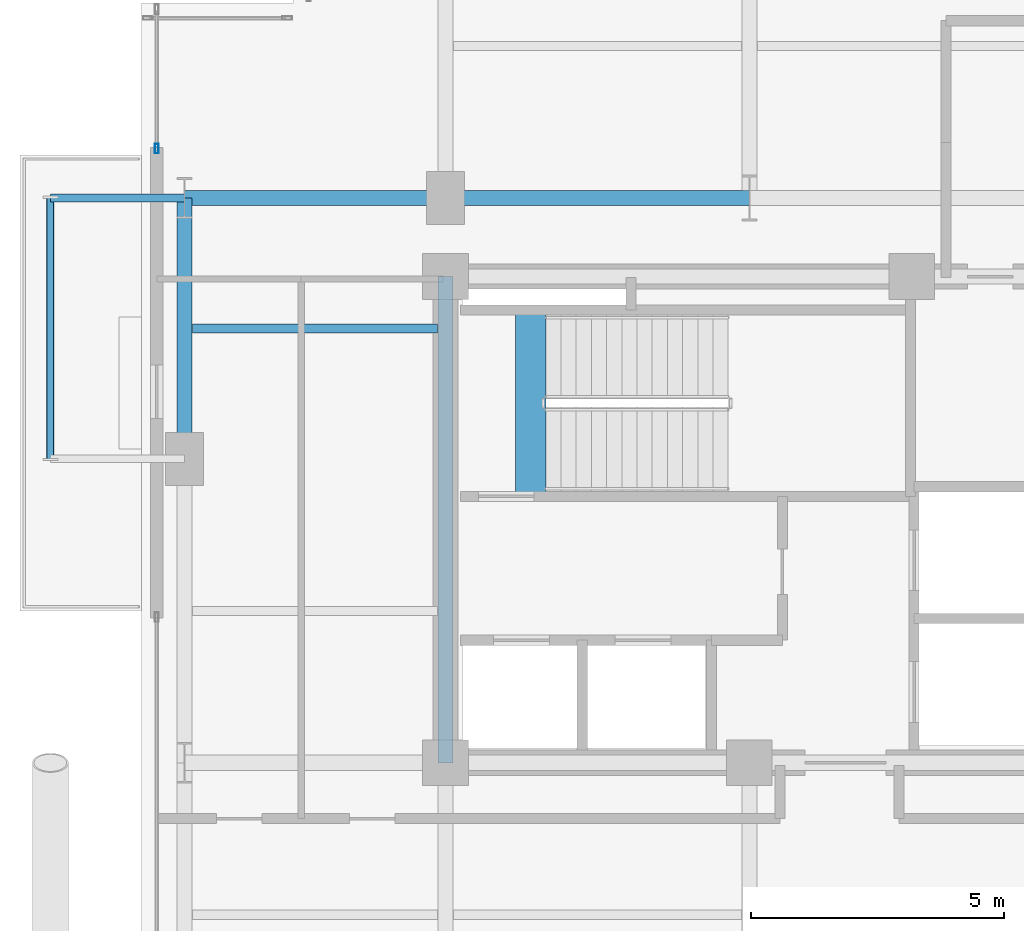
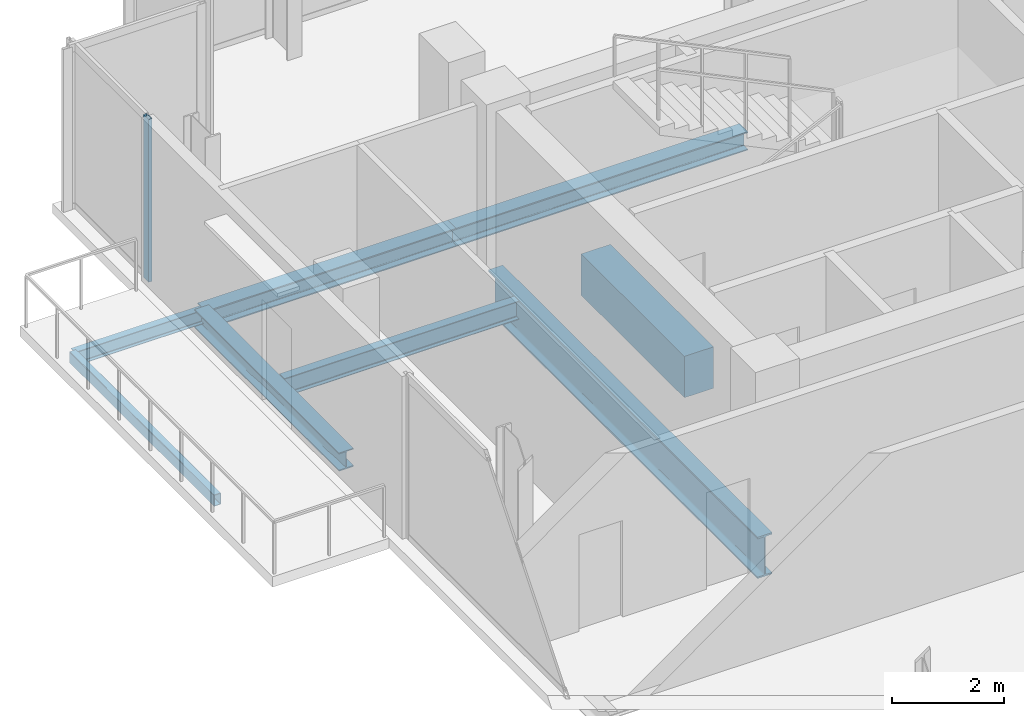
# One storey, part 8 of 25: 8 beams, 1 member, 1 element without a shape of its own.
"""IFC4 building model written with IfcOpenShell, lengths in metres."""

from ifc_helpers import new_model, si_unit, direction, frame, origin, origin_2d, place, context, subcontext, project, spatial, rectangle, hollow_rectangle, i_section, extrude, material, layer, layer_set, material_profile, profile_set, type_object, element, aggregate, save


model = new_model("IFC4")

# Units and contexts
model_context = context("Model", 3, precision=1e-05, world=origin(), true_north=direction((0.0, 1.0)))
body_context = subcontext(model_context, "Body", "Model", "MODEL_VIEW")
ifc_project = project(units=[si_unit("LENGTHUNIT", "METRE"), si_unit("AREAUNIT", "SQUARE_METRE"), si_unit("VOLUMEUNIT", "CUBIC_METRE"), si_unit("PLANEANGLEUNIT", "RADIAN"), si_unit("MASSUNIT", "GRAM", prefix="KILO"), si_unit("THERMODYNAMICTEMPERATUREUNIT", "KELVIN"), si_unit("POWERUNIT", "WATT")], contexts=[model_context])

# Site, building, storey
site_placement = place(None, origin())
site = spatial("IfcSite", under=ifc_project, at=site_placement, CompositionType="ELEMENT")
building_placement = place(site_placement, origin())
building = spatial("IfcBuilding", under=site, at=building_placement, Name="Svarakhadi Broadcast Tower", CompositionType="ELEMENT")
storey_placement = place(building_placement, frame((0.0, 0.0, 216.14990234375)))
storey = spatial("IfcBuildingStorey", under=building, at=storey_placement, Name="L53", CompositionType="ELEMENT", Elevation=216.14990234375)

# Beam
ifc_material_1 = material(Name="Steel S355J2 (IS 2062 E350C)", Category="steel")
ifc_material_profile_1 = material_profile(ifc_material_1, i_section(OverallWidth=0.179931640625, OverallDepth=0.39990234375, WebThickness=0.008544921875, FlangeThickness=0.013427734375, FilletRadius=0.02099609375, at=origin_2d()), Name="NPB 400x180x66")
ifc_profile_set_1 = profile_set([ifc_material_profile_1], Name="Steel S355J2 (IS 2062 E350C)")
beam_type_1 = type_object("IfcBeamType", Name="Beam_NPB400", PredefinedType="BEAM", material=ifc_profile_set_1)
beam_1_placement = place(storey_placement, frame((1.010009765625, 26.574951171875, -0.409912109375), z_axis=(1.0, 0.0, 0.0), x_axis=(0.0, 1.0, 0.0)))
element("IfcBeam", 1, at=beam_1_placement, inside=storey, type_object=beam_type_1, Name="L53 Secondary Composite Beam SB004", PredefinedType="BEAM", context=body_context, shape_type="SweptSolid", body=[
    extrude(i_section(OverallWidth=0.179931640625, OverallDepth=0.39990234375, WebThickness=0.008544921875, FlangeThickness=0.013427734375, FilletRadius=0.02099609375, at=origin_2d()), origin(), (0.0, 0.0, 1.0), 4.830078125),
])

# Curtain wall, member
ifc_material_2 = material(Name="Anodised Bronze Aluminium AA 6063-T6", Category="aluminium")
ifc_layer = layer(ifc_material_2, 0.18994140625)
ifc_layer_set = layer_set([ifc_layer], Name="Anodised Bronze Aluminium AA 6063-T6")
curtain_wall_type = type_object("IfcCurtainWallType", Name="CW_Sys_04", PredefinedType="NOTDEFINED", material=ifc_layer_set)
curtain_wall_placement = place(storey_placement, origin())
curtain_wall = element("IfcCurtainWall", 2, at=curtain_wall_placement, inside=storey, type_object=curtain_wall_type, Name="L53 West Curtain Wall 03", PredefinedType="NOTDEFINED")
ifc_material_profile_2 = material_profile(ifc_material_2, hollow_rectangle(XDim=0.070068359375, YDim=0.18994140625, WallThickness=0.005615234375, at=origin_2d()), Name="ALU MULLION 190x70x6")
ifc_profile_set_2 = profile_set([ifc_material_profile_2], Name="Anodised Bronze Aluminium AA 6063-T6")
member_type = type_object("IfcMemberType", Name="CW_Sys_04_Mul", PredefinedType="MULLION", material=ifc_profile_set_2)
member_placement = place(storey_placement, frame((0.300048828125, 30.125, 0.0), z_axis=(0.0, 0.0, 1.0), x_axis=(-1.0, 0.0, 0.0)))
member = element("IfcMember", 3, at=member_placement, type_object=member_type, Name="CW-04 mullion 1", PredefinedType="MULLION", context=body_context, shape_type="SweptSolid", body=[
    extrude(hollow_rectangle(XDim=0.070068359375, YDim=0.18994140625, WallThickness=0.005615234375, at=origin_2d()), origin(), (0.0, 0.0, 1.0), 3.5400390625),
])
aggregate(curtain_wall, [member])

# Beams
ifc_material_3 = material(Name="Concrete C50/60 (IS 456 M60)", Category="concrete")
ifc_material_profile_3 = material_profile(ifc_material_3, rectangle(XDim=0.60009765625, YDim=0.89990234375, at=origin_2d()), Name="RC 600x900")
ifc_profile_set_3 = profile_set([ifc_material_profile_3], Name="Concrete C50/60 (IS 456 M60)")
beam_type_2 = type_object("IfcBeamType", Name="Coupling_RC600", PredefinedType="USERDEFINED", material=ifc_profile_set_3)
beam_2_placement = place(storey_placement, frame((7.679931640625, 23.260009765625, -0.449951171875), z_axis=(0.0, 1.0, 0.0), x_axis=(-1.0, 0.0, 0.0)))
element("IfcBeam", 4, at=beam_2_placement, inside=storey, type_object=beam_type_2, Name="L53 Stair ST-01 Landing Throat Trimmer Beam CB-01", ObjectType="GIRDER", PredefinedType="USERDEFINED", context=body_context, shape_type="SweptSolid", body=[
    extrude(rectangle(XDim=0.60009765625, YDim=0.89990234375, at=origin_2d()), origin(), (0.0, 0.0, 1.0), 3.679931640625),
])
ifc_material_profile_4 = material_profile(ifc_material_1, i_section(OverallWidth=0.300048828125, OverallDepth=0.39990234375, WebThickness=0.013427734375, FlangeThickness=0.02392578125, FilletRadius=0.027099609375, at=origin_2d()), Name="WPB 400x300x155")
ifc_profile_set_4 = profile_set([ifc_material_profile_4], Name="Steel S355J2 (IS 2062 E350C)")
beam_type_3 = type_object("IfcBeamType", Name="Girder_WPB400", PredefinedType="USERDEFINED", material=ifc_profile_set_4)
beam_3_placement = place(storey_placement, frame((0.85009765625, 29.14990234375, -0.409912109375), z_axis=(1.0, 0.0, 0.0), x_axis=(0.0, 1.0, 0.0)))
element("IfcBeam", 5, at=beam_3_placement, inside=storey, type_object=beam_type_3, Name="L53 Primary E-W Girder G028", ObjectType="GIRDER", PredefinedType="USERDEFINED", context=body_context, shape_type="SweptSolid", body=[
    extrude(i_section(OverallWidth=0.300048828125, OverallDepth=0.39990234375, WebThickness=0.013427734375, FlangeThickness=0.02392578125, FilletRadius=0.027099609375, at=origin_2d()), origin(), (0.0, 0.0, 1.0), 5.14990234375),
])
beam_4_placement = place(storey_placement, frame((6.0, 29.14990234375, -0.409912109375), z_axis=(1.0, 0.0, 0.0), x_axis=(0.0, 1.0, 0.0)))
element("IfcBeam", 6, at=beam_4_placement, inside=storey, type_object=beam_type_3, Name="L53 Primary E-W Girder G029", ObjectType="GIRDER", PredefinedType="USERDEFINED", context=body_context, shape_type="SweptSolid", body=[
    extrude(i_section(OverallWidth=0.300048828125, OverallDepth=0.39990234375, WebThickness=0.013427734375, FlangeThickness=0.02392578125, FilletRadius=0.027099609375, at=origin_2d()), origin(), (0.0, 0.0, 1.0), 6.0),
])
beam_5_placement = place(storey_placement, frame((0.85009765625, 24.0, -0.409912109375), z_axis=(0.0, 1.0, 0.0), x_axis=(-1.0, 0.0, 0.0)))
element("IfcBeam", 7, at=beam_5_placement, inside=storey, type_object=beam_type_3, Name="L53 Primary N-S Girder G036", ObjectType="GIRDER", PredefinedType="USERDEFINED", context=body_context, shape_type="SweptSolid", body=[
    extrude(i_section(OverallWidth=0.300048828125, OverallDepth=0.39990234375, WebThickness=0.013427734375, FlangeThickness=0.02392578125, FilletRadius=0.027099609375, at=origin_2d()), origin(), (0.0, 0.0, 1.0), 5.14990234375),
])
ifc_material_4 = material(Name="Steel S460ML (IS 2062 E450BR)", Category="steel")
ifc_material_profile_5 = material_profile(ifc_material_4, i_section(OverallWidth=0.300048828125, OverallDepth=0.89990234375, WebThickness=0.0185546875, FlangeThickness=0.034912109375, FilletRadius=0.030029296875, at=origin_2d()), Name="WPB 900x300x291")
ifc_profile_set_5 = profile_set([ifc_material_profile_5], Name="Steel S460ML (IS 2062 E450BR)")
beam_type_4 = type_object("IfcBeamType", Name="Girder_WPB900", PredefinedType="USERDEFINED", material=ifc_profile_set_5)
beam_6_placement = place(storey_placement, frame((6.0, 18.0, -0.659912109375), z_axis=(0.0, 1.0, 0.0), x_axis=(-1.0, 0.0, 0.0)))
element("IfcBeam", 8, at=beam_6_placement, inside=storey, type_object=beam_type_4, Name="L53 Primary N-S Girder G040", ObjectType="GIRDER", PredefinedType="USERDEFINED", context=body_context, shape_type="SweptSolid", body=[
    extrude(i_section(OverallWidth=0.300048828125, OverallDepth=0.89990234375, WebThickness=0.0185546875, FlangeThickness=0.034912109375, FilletRadius=0.030029296875, at=origin_2d()), origin(), (0.0, 0.0, 1.0), 9.60009765625),
])
ifc_material_profile_6 = material_profile(ifc_material_1, i_section(OverallWidth=0.14990234375, OverallDepth=0.300048828125, WebThickness=0.007080078125, FlangeThickness=0.0107421875, FilletRadius=0.014892578125, at=origin_2d()), Name="NPB 300x150x37")
ifc_profile_set_6 = profile_set([ifc_material_profile_6], Name="Steel S355J2 (IS 2062 E350C)")
beam_type_5 = type_object("IfcBeamType", Name="Spandrel_NPB300", PredefinedType="SPANDREL", material=ifc_profile_set_6)
beam_7_placement = place(storey_placement, frame((0.85009765625, 29.14990234375, -0.375), z_axis=(-1.0, 0.0, 0.0), x_axis=(0.0, -1.0, 0.0)))
element("IfcBeam", 9, at=beam_7_placement, inside=storey, type_object=beam_type_5, Name="L53 Balcony Cantilever Bracket 2B", PredefinedType="SPANDREL", context=body_context, shape_type="SweptSolid", body=[
    extrude(i_section(OverallWidth=0.14990234375, OverallDepth=0.300048828125, WebThickness=0.007080078125, FlangeThickness=0.0107421875, FilletRadius=0.014892578125, at=origin_2d()), origin(), (0.0, 0.0, 1.0), 2.650146484375),
])
ifc_material_profile_7 = material_profile(ifc_material_4, hollow_rectangle(XDim=0.14990234375, YDim=0.25, WallThickness=0.010009765625, InnerFilletRadius=0.010009765625, OuterFilletRadius=0.02001953125, at=origin_2d()), Name="RHS 250x150x10")
ifc_profile_set_7 = profile_set([ifc_material_profile_7], Name="Steel S460ML (IS 2062 E450BR)")
beam_type_6 = type_object("IfcBeamType", Name="Spandrel_RHS250", PredefinedType="SPANDREL", material=ifc_profile_set_7)
beam_8_placement = place(storey_placement, frame((-1.800048828125, 24.0, -0.349853515625), z_axis=(0.0, 1.0, 0.0), x_axis=(-1.0, 0.0, 0.0)))
element("IfcBeam", 10, at=beam_8_placement, inside=storey, type_object=beam_type_6, Name="L53 Balcony Outer Spandrel 2F", PredefinedType="SPANDREL", context=body_context, shape_type="SweptSolid", body=[
    extrude(hollow_rectangle(XDim=0.14990234375, YDim=0.25, WallThickness=0.010009765625, InnerFilletRadius=0.010009765625, OuterFilletRadius=0.02001953125, at=origin_2d()), origin(), (0.0, 0.0, 1.0), 5.14990234375),
])

save(model, "model.ifc")
